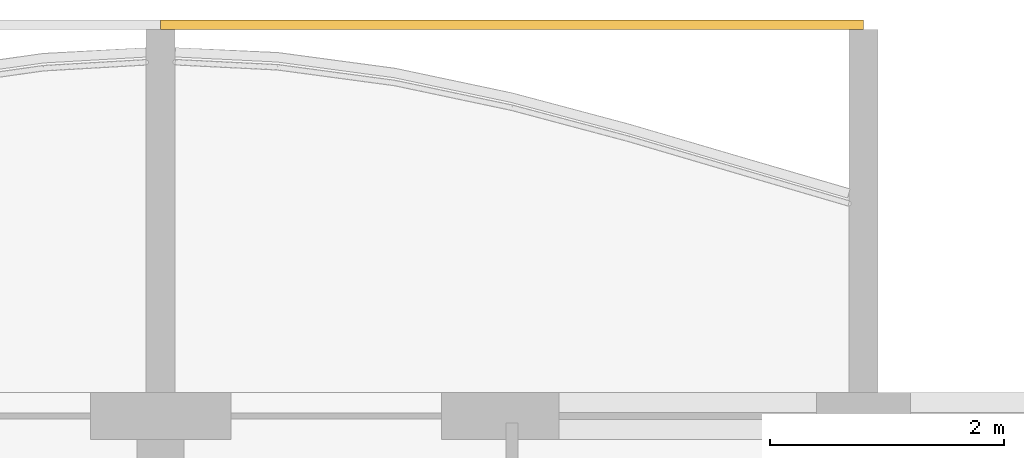
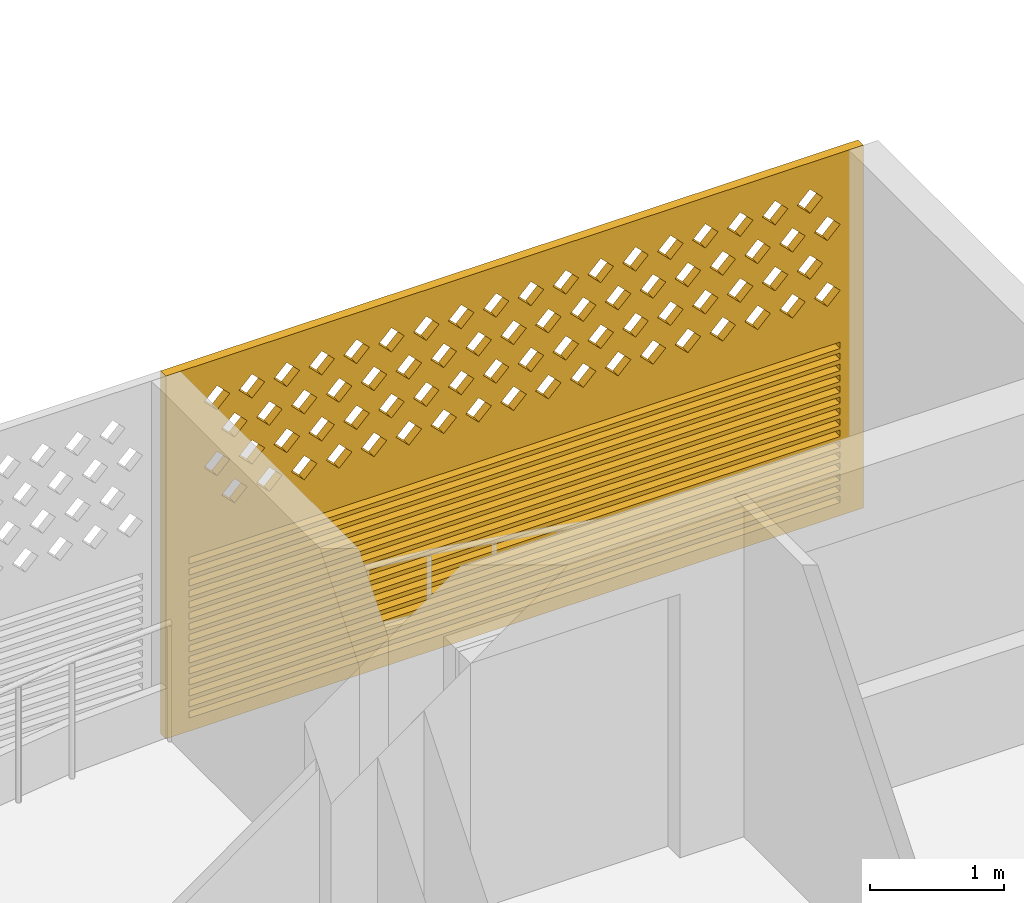
# One storey, part 34 of 38: 1 covering.
"""IFC4 building model written with IfcOpenShell, lengths in metres."""

from ifc_helpers import new_model, si_unit, direction, frame, origin, place, context, subcontext, project, spatial, polyline, outline, extrude, source, transform, mapped, material, material_profile, profile_set, type_object, element, save


model = new_model("IFC4")

# Units and contexts
model_context = context("Model", 3, precision=1e-05, world=origin(), true_north=direction((0.0, 1.0)))
body_context = subcontext(model_context, "Body", "Model", "MODEL_VIEW")
ifc_project = project(units=[si_unit("LENGTHUNIT", "METRE"), si_unit("AREAUNIT", "SQUARE_METRE"), si_unit("VOLUMEUNIT", "CUBIC_METRE"), si_unit("PLANEANGLEUNIT", "RADIAN"), si_unit("MASSUNIT", "GRAM", prefix="KILO")], contexts=[model_context])

# Site, building, storey
site_placement = place(None, origin())
site = spatial("IfcSite", under=ifc_project, at=site_placement, CompositionType="ELEMENT")
building_placement = place(site_placement, origin())
building = spatial("IfcBuilding", under=site, at=building_placement, Name="Poui Terraces", CompositionType="ELEMENT")
storey_placement = place(building_placement, frame((0.0, 0.0, 49.800048828125)))
storey = spatial("IfcBuildingStorey", under=building, at=storey_placement, Name="L13", CompositionType="ELEMENT", Elevation=49.800048828125)

# Covering
ifc_material = material(Name="Terracotta screen", Category="masonry")
ifc_material_profile = material_profile(ifc_material, outline(polyline([(-3.0, -1.64990234375), (3.0, -1.64990234375), (3.0, 1.64990234375), (-3.0, 1.64990234375), (-3.0, -1.64990234375)]), holes=[polyline([(-2.800048828125, 0.39990234375), (-2.68994140625, 0.2900390625), (-2.580078125, 0.39990234375), (-2.68994140625, 0.510009765625), (-2.800048828125, 0.39990234375)]), polyline([(-2.5, 0.39990234375), (-2.389892578125, 0.2900390625), (-2.280029296875, 0.39990234375), (-2.389892578125, 0.510009765625), (-2.5, 0.39990234375)]), polyline([(-2.199951171875, 0.39990234375), (-2.090087890625, 0.2900390625), (-1.97998046875, 0.39990234375), (-2.090087890625, 0.510009765625), (-2.199951171875, 0.39990234375)]), polyline([(-1.89990234375, 0.39990234375), (-1.7900390625, 0.2900390625), (-1.679931640625, 0.39990234375), (-1.7900390625, 0.510009765625), (-1.89990234375, 0.39990234375)]), polyline([(-1.60009765625, 0.39990234375), (-1.489990234375, 0.2900390625), (-1.3798828125, 0.39990234375), (-1.489990234375, 0.510009765625), (-1.60009765625, 0.39990234375)]), polyline([(-1.300048828125, 0.39990234375), (-1.18994140625, 0.2900390625), (-1.080078125, 0.39990234375), (-1.18994140625, 0.510009765625), (-1.300048828125, 0.39990234375)]), polyline([(-1.0, 0.39990234375), (-0.889892578125, 0.2900390625), (-0.780029296875, 0.39990234375), (-0.889892578125, 0.510009765625), (-1.0, 0.39990234375)]), polyline([(-0.699951171875, 0.39990234375), (-0.590087890625, 0.2900390625), (-0.47998046875, 0.39990234375), (-0.590087890625, 0.510009765625), (-0.699951171875, 0.39990234375)]), polyline([(-0.39990234375, 0.39990234375), (-0.2900390625, 0.2900390625), (-0.179931640625, 0.39990234375), (-0.2900390625, 0.510009765625), (-0.39990234375, 0.39990234375)]), polyline([(-0.10009765625, 0.39990234375), (0.010009765625, 0.2900390625), (0.1201171875, 0.39990234375), (0.010009765625, 0.510009765625), (-0.10009765625, 0.39990234375)]), polyline([(0.199951171875, 0.39990234375), (0.31005859375, 0.2900390625), (0.419921875, 0.39990234375), (0.31005859375, 0.510009765625), (0.199951171875, 0.39990234375)]), polyline([(0.5, 0.39990234375), (0.610107421875, 0.2900390625), (0.719970703125, 0.39990234375), (0.610107421875, 0.510009765625), (0.5, 0.39990234375)]), polyline([(0.800048828125, 0.39990234375), (0.909912109375, 0.2900390625), (1.02001953125, 0.39990234375), (0.909912109375, 0.510009765625), (0.800048828125, 0.39990234375)]), polyline([(1.10009765625, 0.39990234375), (1.2099609375, 0.2900390625), (1.320068359375, 0.39990234375), (1.2099609375, 0.510009765625), (1.10009765625, 0.39990234375)]), polyline([(1.39990234375, 0.39990234375), (1.510009765625, 0.2900390625), (1.6201171875, 0.39990234375), (1.510009765625, 0.510009765625), (1.39990234375, 0.39990234375)]), polyline([(1.699951171875, 0.39990234375), (1.81005859375, 0.2900390625), (1.919921875, 0.39990234375), (1.81005859375, 0.510009765625), (1.699951171875, 0.39990234375)]), polyline([(2.0, 0.39990234375), (2.110107421875, 0.2900390625), (2.219970703125, 0.39990234375), (2.110107421875, 0.510009765625), (2.0, 0.39990234375)]), polyline([(2.300048828125, 0.39990234375), (2.409912109375, 0.2900390625), (2.52001953125, 0.39990234375), (2.409912109375, 0.510009765625), (2.300048828125, 0.39990234375)]), polyline([(-2.64990234375, 0.699951171875), (-2.5400390625, 0.590087890625), (-2.429931640625, 0.699951171875), (-2.5400390625, 0.81005859375), (-2.64990234375, 0.699951171875)]), polyline([(-2.35009765625, 0.699951171875), (-2.239990234375, 0.590087890625), (-2.1298828125, 0.699951171875), (-2.239990234375, 0.81005859375), (-2.35009765625, 0.699951171875)]), polyline([(-2.050048828125, 0.699951171875), (-1.93994140625, 0.590087890625), (-1.830078125, 0.699951171875), (-1.93994140625, 0.81005859375), (-2.050048828125, 0.699951171875)]), polyline([(-1.75, 0.699951171875), (-1.639892578125, 0.590087890625), (-1.530029296875, 0.699951171875), (-1.639892578125, 0.81005859375), (-1.75, 0.699951171875)]), polyline([(-1.449951171875, 0.699951171875), (-1.340087890625, 0.590087890625), (-1.22998046875, 0.699951171875), (-1.340087890625, 0.81005859375), (-1.449951171875, 0.699951171875)]), polyline([(-1.14990234375, 0.699951171875), (-1.0400390625, 0.590087890625), (-0.929931640625, 0.699951171875), (-1.0400390625, 0.81005859375), (-1.14990234375, 0.699951171875)]), polyline([(-0.85009765625, 0.699951171875), (-0.739990234375, 0.590087890625), (-0.6298828125, 0.699951171875), (-0.739990234375, 0.81005859375), (-0.85009765625, 0.699951171875)]), polyline([(-0.550048828125, 0.699951171875), (-0.43994140625, 0.590087890625), (-0.330078125, 0.699951171875), (-0.43994140625, 0.81005859375), (-0.550048828125, 0.699951171875)]), polyline([(-0.25, 0.699951171875), (-0.139892578125, 0.590087890625), (-0.030029296875, 0.699951171875), (-0.139892578125, 0.81005859375), (-0.25, 0.699951171875)]), polyline([(0.050048828125, 0.699951171875), (0.159912109375, 0.590087890625), (0.27001953125, 0.699951171875), (0.159912109375, 0.81005859375), (0.050048828125, 0.699951171875)]), polyline([(0.35009765625, 0.699951171875), (0.4599609375, 0.590087890625), (0.570068359375, 0.699951171875), (0.4599609375, 0.81005859375), (0.35009765625, 0.699951171875)]), polyline([(0.64990234375, 0.699951171875), (0.760009765625, 0.590087890625), (0.8701171875, 0.699951171875), (0.760009765625, 0.81005859375), (0.64990234375, 0.699951171875)]), polyline([(0.949951171875, 0.699951171875), (1.06005859375, 0.590087890625), (1.169921875, 0.699951171875), (1.06005859375, 0.81005859375), (0.949951171875, 0.699951171875)]), polyline([(1.25, 0.699951171875), (1.360107421875, 0.590087890625), (1.469970703125, 0.699951171875), (1.360107421875, 0.81005859375), (1.25, 0.699951171875)]), polyline([(1.550048828125, 0.699951171875), (1.659912109375, 0.590087890625), (1.77001953125, 0.699951171875), (1.659912109375, 0.81005859375), (1.550048828125, 0.699951171875)]), polyline([(1.85009765625, 0.699951171875), (1.9599609375, 0.590087890625), (2.070068359375, 0.699951171875), (1.9599609375, 0.81005859375), (1.85009765625, 0.699951171875)]), polyline([(2.14990234375, 0.699951171875), (2.260009765625, 0.590087890625), (2.3701171875, 0.699951171875), (2.260009765625, 0.81005859375), (2.14990234375, 0.699951171875)]), polyline([(2.449951171875, 0.699951171875), (2.56005859375, 0.590087890625), (2.669921875, 0.699951171875), (2.56005859375, 0.81005859375), (2.449951171875, 0.699951171875)]), polyline([(-2.800048828125, 1.0), (-2.68994140625, 0.889892578125), (-2.580078125, 1.0), (-2.68994140625, 1.110107421875), (-2.800048828125, 1.0)]), polyline([(-2.5, 1.0), (-2.389892578125, 0.889892578125), (-2.280029296875, 1.0), (-2.389892578125, 1.110107421875), (-2.5, 1.0)]), polyline([(-2.199951171875, 1.0), (-2.090087890625, 0.889892578125), (-1.97998046875, 1.0), (-2.090087890625, 1.110107421875), (-2.199951171875, 1.0)]), polyline([(-1.89990234375, 1.0), (-1.7900390625, 0.889892578125), (-1.679931640625, 1.0), (-1.7900390625, 1.110107421875), (-1.89990234375, 1.0)]), polyline([(-1.60009765625, 1.0), (-1.489990234375, 0.889892578125), (-1.3798828125, 1.0), (-1.489990234375, 1.110107421875), (-1.60009765625, 1.0)]), polyline([(-1.300048828125, 1.0), (-1.18994140625, 0.889892578125), (-1.080078125, 1.0), (-1.18994140625, 1.110107421875), (-1.300048828125, 1.0)]), polyline([(-1.0, 1.0), (-0.889892578125, 0.889892578125), (-0.780029296875, 1.0), (-0.889892578125, 1.110107421875), (-1.0, 1.0)]), polyline([(-0.699951171875, 1.0), (-0.590087890625, 0.889892578125), (-0.47998046875, 1.0), (-0.590087890625, 1.110107421875), (-0.699951171875, 1.0)]), polyline([(-0.39990234375, 1.0), (-0.2900390625, 0.889892578125), (-0.179931640625, 1.0), (-0.2900390625, 1.110107421875), (-0.39990234375, 1.0)]), polyline([(-0.10009765625, 1.0), (0.010009765625, 0.889892578125), (0.1201171875, 1.0), (0.010009765625, 1.110107421875), (-0.10009765625, 1.0)]), polyline([(0.199951171875, 1.0), (0.31005859375, 0.889892578125), (0.419921875, 1.0), (0.31005859375, 1.110107421875), (0.199951171875, 1.0)]), polyline([(0.5, 1.0), (0.610107421875, 0.889892578125), (0.719970703125, 1.0), (0.610107421875, 1.110107421875), (0.5, 1.0)]), polyline([(0.800048828125, 1.0), (0.909912109375, 0.889892578125), (1.02001953125, 1.0), (0.909912109375, 1.110107421875), (0.800048828125, 1.0)]), polyline([(1.10009765625, 1.0), (1.2099609375, 0.889892578125), (1.320068359375, 1.0), (1.2099609375, 1.110107421875), (1.10009765625, 1.0)]), polyline([(1.39990234375, 1.0), (1.510009765625, 0.889892578125), (1.6201171875, 1.0), (1.510009765625, 1.110107421875), (1.39990234375, 1.0)]), polyline([(1.699951171875, 1.0), (1.81005859375, 0.889892578125), (1.919921875, 1.0), (1.81005859375, 1.110107421875), (1.699951171875, 1.0)]), polyline([(2.0, 1.0), (2.110107421875, 0.889892578125), (2.219970703125, 1.0), (2.110107421875, 1.110107421875), (2.0, 1.0)]), polyline([(2.300048828125, 1.0), (2.409912109375, 0.889892578125), (2.52001953125, 1.0), (2.409912109375, 1.110107421875), (2.300048828125, 1.0)]), polyline([(-2.64990234375, 1.300048828125), (-2.5400390625, 1.18994140625), (-2.429931640625, 1.300048828125), (-2.5400390625, 1.409912109375), (-2.64990234375, 1.300048828125)]), polyline([(-2.35009765625, 1.300048828125), (-2.239990234375, 1.18994140625), (-2.1298828125, 1.300048828125), (-2.239990234375, 1.409912109375), (-2.35009765625, 1.300048828125)]), polyline([(-2.050048828125, 1.300048828125), (-1.93994140625, 1.18994140625), (-1.830078125, 1.300048828125), (-1.93994140625, 1.409912109375), (-2.050048828125, 1.300048828125)]), polyline([(-1.75, 1.300048828125), (-1.639892578125, 1.18994140625), (-1.530029296875, 1.300048828125), (-1.639892578125, 1.409912109375), (-1.75, 1.300048828125)]), polyline([(-1.449951171875, 1.300048828125), (-1.340087890625, 1.18994140625), (-1.22998046875, 1.300048828125), (-1.340087890625, 1.409912109375), (-1.449951171875, 1.300048828125)]), polyline([(-1.14990234375, 1.300048828125), (-1.0400390625, 1.18994140625), (-0.929931640625, 1.300048828125), (-1.0400390625, 1.409912109375), (-1.14990234375, 1.300048828125)]), polyline([(-0.85009765625, 1.300048828125), (-0.739990234375, 1.18994140625), (-0.6298828125, 1.300048828125), (-0.739990234375, 1.409912109375), (-0.85009765625, 1.300048828125)]), polyline([(-0.550048828125, 1.300048828125), (-0.43994140625, 1.18994140625), (-0.330078125, 1.300048828125), (-0.43994140625, 1.409912109375), (-0.550048828125, 1.300048828125)]), polyline([(-0.25, 1.300048828125), (-0.139892578125, 1.18994140625), (-0.030029296875, 1.300048828125), (-0.139892578125, 1.409912109375), (-0.25, 1.300048828125)]), polyline([(0.050048828125, 1.300048828125), (0.159912109375, 1.18994140625), (0.27001953125, 1.300048828125), (0.159912109375, 1.409912109375), (0.050048828125, 1.300048828125)]), polyline([(0.35009765625, 1.300048828125), (0.4599609375, 1.18994140625), (0.570068359375, 1.300048828125), (0.4599609375, 1.409912109375), (0.35009765625, 1.300048828125)]), polyline([(0.64990234375, 1.300048828125), (0.760009765625, 1.18994140625), (0.8701171875, 1.300048828125), (0.760009765625, 1.409912109375), (0.64990234375, 1.300048828125)]), polyline([(0.949951171875, 1.300048828125), (1.06005859375, 1.18994140625), (1.169921875, 1.300048828125), (1.06005859375, 1.409912109375), (0.949951171875, 1.300048828125)]), polyline([(1.25, 1.300048828125), (1.360107421875, 1.18994140625), (1.469970703125, 1.300048828125), (1.360107421875, 1.409912109375), (1.25, 1.300048828125)]), polyline([(1.550048828125, 1.300048828125), (1.659912109375, 1.18994140625), (1.77001953125, 1.300048828125), (1.659912109375, 1.409912109375), (1.550048828125, 1.300048828125)]), polyline([(1.85009765625, 1.300048828125), (1.9599609375, 1.18994140625), (2.070068359375, 1.300048828125), (1.9599609375, 1.409912109375), (1.85009765625, 1.300048828125)]), polyline([(2.14990234375, 1.300048828125), (2.260009765625, 1.18994140625), (2.3701171875, 1.300048828125), (2.260009765625, 1.409912109375), (2.14990234375, 1.300048828125)]), polyline([(2.449951171875, 1.300048828125), (2.56005859375, 1.18994140625), (2.669921875, 1.300048828125), (2.56005859375, 1.409912109375), (2.449951171875, 1.300048828125)]), polyline([(-2.800048828125, -1.530029296875), (2.800048828125, -1.530029296875), (2.800048828125, -1.469970703125), (-2.800048828125, -1.469970703125), (-2.800048828125, -1.530029296875)]), polyline([(-2.800048828125, -1.429931640625), (2.800048828125, -1.429931640625), (2.800048828125, -1.3701171875), (-2.800048828125, -1.3701171875), (-2.800048828125, -1.429931640625)]), polyline([(-2.800048828125, -1.330078125), (2.800048828125, -1.330078125), (2.800048828125, -1.27001953125), (-2.800048828125, -1.27001953125), (-2.800048828125, -1.330078125)]), polyline([(-2.800048828125, -1.22998046875), (2.800048828125, -1.22998046875), (2.800048828125, -1.169921875), (-2.800048828125, -1.169921875), (-2.800048828125, -1.22998046875)]), polyline([(-2.800048828125, -1.1298828125), (2.800048828125, -1.1298828125), (2.800048828125, -1.070068359375), (-2.800048828125, -1.070068359375), (-2.800048828125, -1.1298828125)]), polyline([(-2.800048828125, -1.030029296875), (2.800048828125, -1.030029296875), (2.800048828125, -0.969970703125), (-2.800048828125, -0.969970703125), (-2.800048828125, -1.030029296875)]), polyline([(-2.800048828125, -0.929931640625), (2.800048828125, -0.929931640625), (2.800048828125, -0.8701171875), (-2.800048828125, -0.8701171875), (-2.800048828125, -0.929931640625)]), polyline([(-2.800048828125, -0.830078125), (2.800048828125, -0.830078125), (2.800048828125, -0.77001953125), (-2.800048828125, -0.77001953125), (-2.800048828125, -0.830078125)]), polyline([(-2.800048828125, -0.72998046875), (2.800048828125, -0.72998046875), (2.800048828125, -0.669921875), (-2.800048828125, -0.669921875), (-2.800048828125, -0.72998046875)]), polyline([(-2.800048828125, -0.6298828125), (2.800048828125, -0.6298828125), (2.800048828125, -0.570068359375), (-2.800048828125, -0.570068359375), (-2.800048828125, -0.6298828125)]), polyline([(-2.800048828125, -0.530029296875), (2.800048828125, -0.530029296875), (2.800048828125, -0.469970703125), (-2.800048828125, -0.469970703125), (-2.800048828125, -0.530029296875)]), polyline([(-2.800048828125, -0.429931640625), (2.800048828125, -0.429931640625), (2.800048828125, -0.3701171875), (-2.800048828125, -0.3701171875), (-2.800048828125, -0.429931640625)]), polyline([(-2.800048828125, -0.330078125), (2.800048828125, -0.330078125), (2.800048828125, -0.27001953125), (-2.800048828125, -0.27001953125), (-2.800048828125, -0.330078125)]), polyline([(-2.800048828125, -0.22998046875), (2.800048828125, -0.22998046875), (2.800048828125, -0.169921875), (-2.800048828125, -0.169921875), (-2.800048828125, -0.22998046875)]), polyline([(-2.800048828125, -0.1298828125), (2.800048828125, -0.1298828125), (2.800048828125, -0.070068359375), (-2.800048828125, -0.070068359375), (-2.800048828125, -0.1298828125)])]), Name="TERRACOTTA SCREEN AND JALOUSIE LOUVRE 6000X3300")
ifc_profile_set = profile_set([ifc_material_profile], Name="Terracotta screen")
covering_type = type_object("IfcCoveringType", Name="TERRACOTTA SCREEN AND JALOUSIE LOUVRE 6000X3300", PredefinedType="CLADDING", material=ifc_profile_set)
shared_shape = source(origin(), body_context, "Body", "SweptSolid", [
    extrude(outline(polyline([(-3.0, -1.64990234375), (3.0, -1.64990234375), (3.0, 1.64990234375), (-3.0, 1.64990234375), (-3.0, -1.64990234375)]), holes=[polyline([(-2.800048828125, 0.39990234375), (-2.68994140625, 0.2900390625), (-2.580078125, 0.39990234375), (-2.68994140625, 0.510009765625), (-2.800048828125, 0.39990234375)]), polyline([(-2.5, 0.39990234375), (-2.389892578125, 0.2900390625), (-2.280029296875, 0.39990234375), (-2.389892578125, 0.510009765625), (-2.5, 0.39990234375)]), polyline([(-2.199951171875, 0.39990234375), (-2.090087890625, 0.2900390625), (-1.97998046875, 0.39990234375), (-2.090087890625, 0.510009765625), (-2.199951171875, 0.39990234375)]), polyline([(-1.89990234375, 0.39990234375), (-1.7900390625, 0.2900390625), (-1.679931640625, 0.39990234375), (-1.7900390625, 0.510009765625), (-1.89990234375, 0.39990234375)]), polyline([(-1.60009765625, 0.39990234375), (-1.489990234375, 0.2900390625), (-1.3798828125, 0.39990234375), (-1.489990234375, 0.510009765625), (-1.60009765625, 0.39990234375)]), polyline([(-1.300048828125, 0.39990234375), (-1.18994140625, 0.2900390625), (-1.080078125, 0.39990234375), (-1.18994140625, 0.510009765625), (-1.300048828125, 0.39990234375)]), polyline([(-1.0, 0.39990234375), (-0.889892578125, 0.2900390625), (-0.780029296875, 0.39990234375), (-0.889892578125, 0.510009765625), (-1.0, 0.39990234375)]), polyline([(-0.699951171875, 0.39990234375), (-0.590087890625, 0.2900390625), (-0.47998046875, 0.39990234375), (-0.590087890625, 0.510009765625), (-0.699951171875, 0.39990234375)]), polyline([(-0.39990234375, 0.39990234375), (-0.2900390625, 0.2900390625), (-0.179931640625, 0.39990234375), (-0.2900390625, 0.510009765625), (-0.39990234375, 0.39990234375)]), polyline([(-0.10009765625, 0.39990234375), (0.010009765625, 0.2900390625), (0.1201171875, 0.39990234375), (0.010009765625, 0.510009765625), (-0.10009765625, 0.39990234375)]), polyline([(0.199951171875, 0.39990234375), (0.31005859375, 0.2900390625), (0.419921875, 0.39990234375), (0.31005859375, 0.510009765625), (0.199951171875, 0.39990234375)]), polyline([(0.5, 0.39990234375), (0.610107421875, 0.2900390625), (0.719970703125, 0.39990234375), (0.610107421875, 0.510009765625), (0.5, 0.39990234375)]), polyline([(0.800048828125, 0.39990234375), (0.909912109375, 0.2900390625), (1.02001953125, 0.39990234375), (0.909912109375, 0.510009765625), (0.800048828125, 0.39990234375)]), polyline([(1.10009765625, 0.39990234375), (1.2099609375, 0.2900390625), (1.320068359375, 0.39990234375), (1.2099609375, 0.510009765625), (1.10009765625, 0.39990234375)]), polyline([(1.39990234375, 0.39990234375), (1.510009765625, 0.2900390625), (1.6201171875, 0.39990234375), (1.510009765625, 0.510009765625), (1.39990234375, 0.39990234375)]), polyline([(1.699951171875, 0.39990234375), (1.81005859375, 0.2900390625), (1.919921875, 0.39990234375), (1.81005859375, 0.510009765625), (1.699951171875, 0.39990234375)]), polyline([(2.0, 0.39990234375), (2.110107421875, 0.2900390625), (2.219970703125, 0.39990234375), (2.110107421875, 0.510009765625), (2.0, 0.39990234375)]), polyline([(2.300048828125, 0.39990234375), (2.409912109375, 0.2900390625), (2.52001953125, 0.39990234375), (2.409912109375, 0.510009765625), (2.300048828125, 0.39990234375)]), polyline([(-2.64990234375, 0.699951171875), (-2.5400390625, 0.590087890625), (-2.429931640625, 0.699951171875), (-2.5400390625, 0.81005859375), (-2.64990234375, 0.699951171875)]), polyline([(-2.35009765625, 0.699951171875), (-2.239990234375, 0.590087890625), (-2.1298828125, 0.699951171875), (-2.239990234375, 0.81005859375), (-2.35009765625, 0.699951171875)]), polyline([(-2.050048828125, 0.699951171875), (-1.93994140625, 0.590087890625), (-1.830078125, 0.699951171875), (-1.93994140625, 0.81005859375), (-2.050048828125, 0.699951171875)]), polyline([(-1.75, 0.699951171875), (-1.639892578125, 0.590087890625), (-1.530029296875, 0.699951171875), (-1.639892578125, 0.81005859375), (-1.75, 0.699951171875)]), polyline([(-1.449951171875, 0.699951171875), (-1.340087890625, 0.590087890625), (-1.22998046875, 0.699951171875), (-1.340087890625, 0.81005859375), (-1.449951171875, 0.699951171875)]), polyline([(-1.14990234375, 0.699951171875), (-1.0400390625, 0.590087890625), (-0.929931640625, 0.699951171875), (-1.0400390625, 0.81005859375), (-1.14990234375, 0.699951171875)]), polyline([(-0.85009765625, 0.699951171875), (-0.739990234375, 0.590087890625), (-0.6298828125, 0.699951171875), (-0.739990234375, 0.81005859375), (-0.85009765625, 0.699951171875)]), polyline([(-0.550048828125, 0.699951171875), (-0.43994140625, 0.590087890625), (-0.330078125, 0.699951171875), (-0.43994140625, 0.81005859375), (-0.550048828125, 0.699951171875)]), polyline([(-0.25, 0.699951171875), (-0.139892578125, 0.590087890625), (-0.030029296875, 0.699951171875), (-0.139892578125, 0.81005859375), (-0.25, 0.699951171875)]), polyline([(0.050048828125, 0.699951171875), (0.159912109375, 0.590087890625), (0.27001953125, 0.699951171875), (0.159912109375, 0.81005859375), (0.050048828125, 0.699951171875)]), polyline([(0.35009765625, 0.699951171875), (0.4599609375, 0.590087890625), (0.570068359375, 0.699951171875), (0.4599609375, 0.81005859375), (0.35009765625, 0.699951171875)]), polyline([(0.64990234375, 0.699951171875), (0.760009765625, 0.590087890625), (0.8701171875, 0.699951171875), (0.760009765625, 0.81005859375), (0.64990234375, 0.699951171875)]), polyline([(0.949951171875, 0.699951171875), (1.06005859375, 0.590087890625), (1.169921875, 0.699951171875), (1.06005859375, 0.81005859375), (0.949951171875, 0.699951171875)]), polyline([(1.25, 0.699951171875), (1.360107421875, 0.590087890625), (1.469970703125, 0.699951171875), (1.360107421875, 0.81005859375), (1.25, 0.699951171875)]), polyline([(1.550048828125, 0.699951171875), (1.659912109375, 0.590087890625), (1.77001953125, 0.699951171875), (1.659912109375, 0.81005859375), (1.550048828125, 0.699951171875)]), polyline([(1.85009765625, 0.699951171875), (1.9599609375, 0.590087890625), (2.070068359375, 0.699951171875), (1.9599609375, 0.81005859375), (1.85009765625, 0.699951171875)]), polyline([(2.14990234375, 0.699951171875), (2.260009765625, 0.590087890625), (2.3701171875, 0.699951171875), (2.260009765625, 0.81005859375), (2.14990234375, 0.699951171875)]), polyline([(2.449951171875, 0.699951171875), (2.56005859375, 0.590087890625), (2.669921875, 0.699951171875), (2.56005859375, 0.81005859375), (2.449951171875, 0.699951171875)]), polyline([(-2.800048828125, 1.0), (-2.68994140625, 0.889892578125), (-2.580078125, 1.0), (-2.68994140625, 1.110107421875), (-2.800048828125, 1.0)]), polyline([(-2.5, 1.0), (-2.389892578125, 0.889892578125), (-2.280029296875, 1.0), (-2.389892578125, 1.110107421875), (-2.5, 1.0)]), polyline([(-2.199951171875, 1.0), (-2.090087890625, 0.889892578125), (-1.97998046875, 1.0), (-2.090087890625, 1.110107421875), (-2.199951171875, 1.0)]), polyline([(-1.89990234375, 1.0), (-1.7900390625, 0.889892578125), (-1.679931640625, 1.0), (-1.7900390625, 1.110107421875), (-1.89990234375, 1.0)]), polyline([(-1.60009765625, 1.0), (-1.489990234375, 0.889892578125), (-1.3798828125, 1.0), (-1.489990234375, 1.110107421875), (-1.60009765625, 1.0)]), polyline([(-1.300048828125, 1.0), (-1.18994140625, 0.889892578125), (-1.080078125, 1.0), (-1.18994140625, 1.110107421875), (-1.300048828125, 1.0)]), polyline([(-1.0, 1.0), (-0.889892578125, 0.889892578125), (-0.780029296875, 1.0), (-0.889892578125, 1.110107421875), (-1.0, 1.0)]), polyline([(-0.699951171875, 1.0), (-0.590087890625, 0.889892578125), (-0.47998046875, 1.0), (-0.590087890625, 1.110107421875), (-0.699951171875, 1.0)]), polyline([(-0.39990234375, 1.0), (-0.2900390625, 0.889892578125), (-0.179931640625, 1.0), (-0.2900390625, 1.110107421875), (-0.39990234375, 1.0)]), polyline([(-0.10009765625, 1.0), (0.010009765625, 0.889892578125), (0.1201171875, 1.0), (0.010009765625, 1.110107421875), (-0.10009765625, 1.0)]), polyline([(0.199951171875, 1.0), (0.31005859375, 0.889892578125), (0.419921875, 1.0), (0.31005859375, 1.110107421875), (0.199951171875, 1.0)]), polyline([(0.5, 1.0), (0.610107421875, 0.889892578125), (0.719970703125, 1.0), (0.610107421875, 1.110107421875), (0.5, 1.0)]), polyline([(0.800048828125, 1.0), (0.909912109375, 0.889892578125), (1.02001953125, 1.0), (0.909912109375, 1.110107421875), (0.800048828125, 1.0)]), polyline([(1.10009765625, 1.0), (1.2099609375, 0.889892578125), (1.320068359375, 1.0), (1.2099609375, 1.110107421875), (1.10009765625, 1.0)]), polyline([(1.39990234375, 1.0), (1.510009765625, 0.889892578125), (1.6201171875, 1.0), (1.510009765625, 1.110107421875), (1.39990234375, 1.0)]), polyline([(1.699951171875, 1.0), (1.81005859375, 0.889892578125), (1.919921875, 1.0), (1.81005859375, 1.110107421875), (1.699951171875, 1.0)]), polyline([(2.0, 1.0), (2.110107421875, 0.889892578125), (2.219970703125, 1.0), (2.110107421875, 1.110107421875), (2.0, 1.0)]), polyline([(2.300048828125, 1.0), (2.409912109375, 0.889892578125), (2.52001953125, 1.0), (2.409912109375, 1.110107421875), (2.300048828125, 1.0)]), polyline([(-2.64990234375, 1.300048828125), (-2.5400390625, 1.18994140625), (-2.429931640625, 1.300048828125), (-2.5400390625, 1.409912109375), (-2.64990234375, 1.300048828125)]), polyline([(-2.35009765625, 1.300048828125), (-2.239990234375, 1.18994140625), (-2.1298828125, 1.300048828125), (-2.239990234375, 1.409912109375), (-2.35009765625, 1.300048828125)]), polyline([(-2.050048828125, 1.300048828125), (-1.93994140625, 1.18994140625), (-1.830078125, 1.300048828125), (-1.93994140625, 1.409912109375), (-2.050048828125, 1.300048828125)]), polyline([(-1.75, 1.300048828125), (-1.639892578125, 1.18994140625), (-1.530029296875, 1.300048828125), (-1.639892578125, 1.409912109375), (-1.75, 1.300048828125)]), polyline([(-1.449951171875, 1.300048828125), (-1.340087890625, 1.18994140625), (-1.22998046875, 1.300048828125), (-1.340087890625, 1.409912109375), (-1.449951171875, 1.300048828125)]), polyline([(-1.14990234375, 1.300048828125), (-1.0400390625, 1.18994140625), (-0.929931640625, 1.300048828125), (-1.0400390625, 1.409912109375), (-1.14990234375, 1.300048828125)]), polyline([(-0.85009765625, 1.300048828125), (-0.739990234375, 1.18994140625), (-0.6298828125, 1.300048828125), (-0.739990234375, 1.409912109375), (-0.85009765625, 1.300048828125)]), polyline([(-0.550048828125, 1.300048828125), (-0.43994140625, 1.18994140625), (-0.330078125, 1.300048828125), (-0.43994140625, 1.409912109375), (-0.550048828125, 1.300048828125)]), polyline([(-0.25, 1.300048828125), (-0.139892578125, 1.18994140625), (-0.030029296875, 1.300048828125), (-0.139892578125, 1.409912109375), (-0.25, 1.300048828125)]), polyline([(0.050048828125, 1.300048828125), (0.159912109375, 1.18994140625), (0.27001953125, 1.300048828125), (0.159912109375, 1.409912109375), (0.050048828125, 1.300048828125)]), polyline([(0.35009765625, 1.300048828125), (0.4599609375, 1.18994140625), (0.570068359375, 1.300048828125), (0.4599609375, 1.409912109375), (0.35009765625, 1.300048828125)]), polyline([(0.64990234375, 1.300048828125), (0.760009765625, 1.18994140625), (0.8701171875, 1.300048828125), (0.760009765625, 1.409912109375), (0.64990234375, 1.300048828125)]), polyline([(0.949951171875, 1.300048828125), (1.06005859375, 1.18994140625), (1.169921875, 1.300048828125), (1.06005859375, 1.409912109375), (0.949951171875, 1.300048828125)]), polyline([(1.25, 1.300048828125), (1.360107421875, 1.18994140625), (1.469970703125, 1.300048828125), (1.360107421875, 1.409912109375), (1.25, 1.300048828125)]), polyline([(1.550048828125, 1.300048828125), (1.659912109375, 1.18994140625), (1.77001953125, 1.300048828125), (1.659912109375, 1.409912109375), (1.550048828125, 1.300048828125)]), polyline([(1.85009765625, 1.300048828125), (1.9599609375, 1.18994140625), (2.070068359375, 1.300048828125), (1.9599609375, 1.409912109375), (1.85009765625, 1.300048828125)]), polyline([(2.14990234375, 1.300048828125), (2.260009765625, 1.18994140625), (2.3701171875, 1.300048828125), (2.260009765625, 1.409912109375), (2.14990234375, 1.300048828125)]), polyline([(2.449951171875, 1.300048828125), (2.56005859375, 1.18994140625), (2.669921875, 1.300048828125), (2.56005859375, 1.409912109375), (2.449951171875, 1.300048828125)]), polyline([(-2.800048828125, -1.530029296875), (2.800048828125, -1.530029296875), (2.800048828125, -1.469970703125), (-2.800048828125, -1.469970703125), (-2.800048828125, -1.530029296875)]), polyline([(-2.800048828125, -1.429931640625), (2.800048828125, -1.429931640625), (2.800048828125, -1.3701171875), (-2.800048828125, -1.3701171875), (-2.800048828125, -1.429931640625)]), polyline([(-2.800048828125, -1.330078125), (2.800048828125, -1.330078125), (2.800048828125, -1.27001953125), (-2.800048828125, -1.27001953125), (-2.800048828125, -1.330078125)]), polyline([(-2.800048828125, -1.22998046875), (2.800048828125, -1.22998046875), (2.800048828125, -1.169921875), (-2.800048828125, -1.169921875), (-2.800048828125, -1.22998046875)]), polyline([(-2.800048828125, -1.1298828125), (2.800048828125, -1.1298828125), (2.800048828125, -1.070068359375), (-2.800048828125, -1.070068359375), (-2.800048828125, -1.1298828125)]), polyline([(-2.800048828125, -1.030029296875), (2.800048828125, -1.030029296875), (2.800048828125, -0.969970703125), (-2.800048828125, -0.969970703125), (-2.800048828125, -1.030029296875)]), polyline([(-2.800048828125, -0.929931640625), (2.800048828125, -0.929931640625), (2.800048828125, -0.8701171875), (-2.800048828125, -0.8701171875), (-2.800048828125, -0.929931640625)]), polyline([(-2.800048828125, -0.830078125), (2.800048828125, -0.830078125), (2.800048828125, -0.77001953125), (-2.800048828125, -0.77001953125), (-2.800048828125, -0.830078125)]), polyline([(-2.800048828125, -0.72998046875), (2.800048828125, -0.72998046875), (2.800048828125, -0.669921875), (-2.800048828125, -0.669921875), (-2.800048828125, -0.72998046875)]), polyline([(-2.800048828125, -0.6298828125), (2.800048828125, -0.6298828125), (2.800048828125, -0.570068359375), (-2.800048828125, -0.570068359375), (-2.800048828125, -0.6298828125)]), polyline([(-2.800048828125, -0.530029296875), (2.800048828125, -0.530029296875), (2.800048828125, -0.469970703125), (-2.800048828125, -0.469970703125), (-2.800048828125, -0.530029296875)]), polyline([(-2.800048828125, -0.429931640625), (2.800048828125, -0.429931640625), (2.800048828125, -0.3701171875), (-2.800048828125, -0.3701171875), (-2.800048828125, -0.429931640625)]), polyline([(-2.800048828125, -0.330078125), (2.800048828125, -0.330078125), (2.800048828125, -0.27001953125), (-2.800048828125, -0.27001953125), (-2.800048828125, -0.330078125)]), polyline([(-2.800048828125, -0.22998046875), (2.800048828125, -0.22998046875), (2.800048828125, -0.169921875), (-2.800048828125, -0.169921875), (-2.800048828125, -0.22998046875)]), polyline([(-2.800048828125, -0.1298828125), (2.800048828125, -0.1298828125), (2.800048828125, -0.070068359375), (-2.800048828125, -0.070068359375), (-2.800048828125, -0.1298828125)])]), origin(), (0.0, 0.0, 1.0), 0.079833984375),
])
covering_placement = place(storey_placement, frame((75.0, 48.10009765625, 1.449951171875), z_axis=(0.0, 1.0, 0.0), x_axis=(-1.0, 0.0, 0.0)))
element("IfcCovering", 1, at=covering_placement, inside=storey, type_object=covering_type, Name="SOLAR SCREEN AND JALOUSIE LOUVRE", PredefinedType="CLADDING", context=body_context, shape_type="MappedRepresentation", body=[
    mapped(shared_shape, transform((0.0, 0.0, 0.0))),
])

save(model, "model.ifc")
